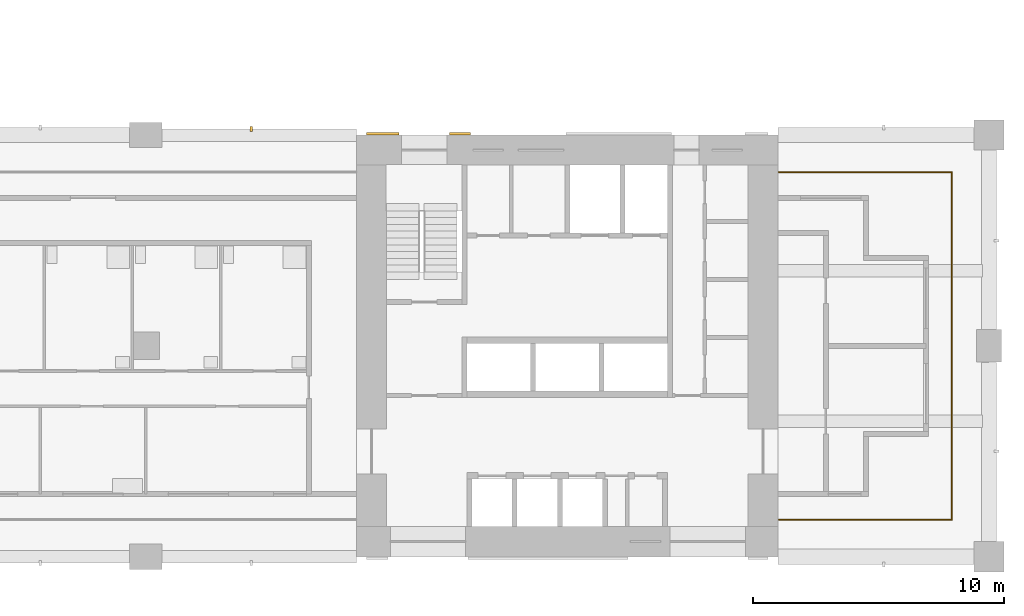
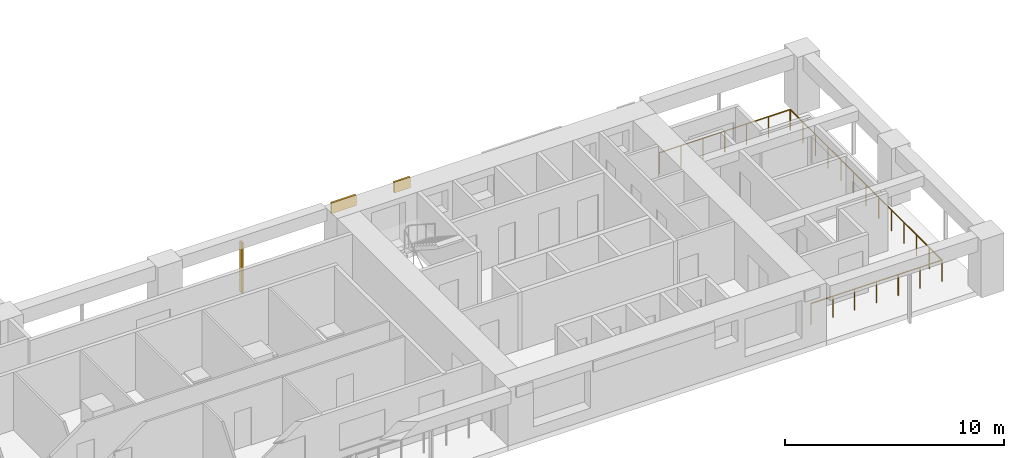
# One storey, part 13 of 17: 3 shading devices, 1 railing.
"""IFC4 building model written with IfcOpenShell, lengths in metres."""

from ifc_helpers import new_model, si_unit, direction, frame, origin, origin_2d, place, context, subcontext, project, spatial, rectangle, circle, extrude, material, layer, layer_set, material_profile, profile_set, type_object, element, save


model = new_model("IFC4")

# Units and contexts
model_context = context("Model", 3, precision=1e-05, world=origin(), true_north=direction((0.0, 1.0)))
body_context = subcontext(model_context, "Body", "Model", "MODEL_VIEW")
ifc_project = project(units=[si_unit("LENGTHUNIT", "METRE"), si_unit("AREAUNIT", "SQUARE_METRE"), si_unit("VOLUMEUNIT", "CUBIC_METRE"), si_unit("PLANEANGLEUNIT", "RADIAN"), si_unit("MASSUNIT", "GRAM", prefix="KILO")], contexts=[model_context])

# Site, building, storey
site_placement = place(None, origin())
site = spatial("IfcSite", under=ifc_project, at=site_placement, CompositionType="ELEMENT")
building_placement = place(site_placement, origin())
building = spatial("IfcBuilding", under=site, at=building_placement, Name="Vermilion Gate Residences", CompositionType="ELEMENT")
storey_placement = place(building_placement, frame((0.0, 0.0, 95.199951171875)))
storey = spatial("IfcBuildingStorey", under=building, at=storey_placement, Name="L23", CompositionType="ELEMENT", Elevation=95.199951171875)

# Railing
ifc_material_1 = material(Name="Stainless steel and toughened glass", Category="steel")
railing_type = type_object("IfcRailingType", Name="LOGGIA GUARD STEEL AND GLASS 1200", PredefinedType="GUARDRAIL", material=ifc_material_1)
railing_placement = place(storey_placement, frame((58.822021484375, 9.875, 0.0)))
element("IfcRailing", 1, at=railing_placement, inside=storey, type_object=railing_type, Name="Loggia guard", PredefinedType="GUARDRAIL", context=body_context, shape_type="SweptSolid", body=[
    extrude(circle(Radius=0.030029296875, at=origin_2d()), frame((0.0, 0.0, 1.169921875), z_axis=(1.0, 0.0, 0.0), x_axis=(0.0, 1.0, 0.0)), (0.0, 0.0, 1.0), 6.903076171875),
    extrude(circle(Radius=0.030029296875, at=origin_2d()), frame((6.903076171875, 0.0, 1.169921875), z_axis=(0.0, 1.0, 0.0), x_axis=(-1.0, 0.0, 0.0)), (0.0, 0.0, 1.0), 13.85009765625),
    extrude(circle(Radius=0.030029296875, at=origin_2d()), frame((6.903076171875, 13.85009765625, 1.169921875), z_axis=(-1.0, 0.0, 0.0), x_axis=(0.0, -1.0, 0.0)), (0.0, 0.0, 1.0), 6.903076171875),
    extrude(circle(Radius=0.02490234375, at=origin_2d()), origin(), (0.0, 0.0, 1.0), 1.139892578125),
    extrude(circle(Radius=0.02490234375, at=origin_2d()), frame((1.150390625, 0.0, 0.0)), (0.0, 0.0, 1.0), 1.139892578125),
    extrude(circle(Radius=0.02490234375, at=origin_2d()), frame((2.301025390625, 0.0, 0.0)), (0.0, 0.0, 1.0), 1.139892578125),
    extrude(circle(Radius=0.02490234375, at=origin_2d()), frame((3.45166015625, 0.0, 0.0)), (0.0, 0.0, 1.0), 1.139892578125),
    extrude(circle(Radius=0.02490234375, at=origin_2d()), frame((4.60205078125, 0.0, 0.0)), (0.0, 0.0, 1.0), 1.139892578125),
    extrude(circle(Radius=0.02490234375, at=origin_2d()), frame((5.75244140625, 0.0, 0.0)), (0.0, 0.0, 1.0), 1.139892578125),
    extrude(circle(Radius=0.02490234375, at=origin_2d()), frame((6.903076171875, 0.0, 0.0)), (0.0, 0.0, 1.0), 1.139892578125),
    extrude(circle(Radius=0.02490234375, at=origin_2d()), frame((6.903076171875, 1.154296875, 0.0)), (0.0, 0.0, 1.0), 1.139892578125),
    extrude(circle(Radius=0.02490234375, at=origin_2d()), frame((6.903076171875, 2.308349609375, 0.0)), (0.0, 0.0, 1.0), 1.139892578125),
    extrude(circle(Radius=0.02490234375, at=origin_2d()), frame((6.903076171875, 3.46240234375, 0.0)), (0.0, 0.0, 1.0), 1.139892578125),
    extrude(circle(Radius=0.02490234375, at=origin_2d()), frame((6.903076171875, 4.61669921875, 0.0)), (0.0, 0.0, 1.0), 1.139892578125),
    extrude(circle(Radius=0.02490234375, at=origin_2d()), frame((6.903076171875, 5.77099609375, 0.0)), (0.0, 0.0, 1.0), 1.139892578125),
    extrude(circle(Radius=0.02490234375, at=origin_2d()), frame((6.903076171875, 6.925048828125, 0.0)), (0.0, 0.0, 1.0), 1.139892578125),
    extrude(circle(Radius=0.02490234375, at=origin_2d()), frame((6.903076171875, 8.0791015625, 0.0)), (0.0, 0.0, 1.0), 1.139892578125),
    extrude(circle(Radius=0.02490234375, at=origin_2d()), frame((6.903076171875, 9.2333984375, 0.0)), (0.0, 0.0, 1.0), 1.139892578125),
    extrude(circle(Radius=0.02490234375, at=origin_2d()), frame((6.903076171875, 10.3876953125, 0.0)), (0.0, 0.0, 1.0), 1.139892578125),
    extrude(circle(Radius=0.02490234375, at=origin_2d()), frame((6.903076171875, 11.541748046875, 0.0)), (0.0, 0.0, 1.0), 1.139892578125),
    extrude(circle(Radius=0.02490234375, at=origin_2d()), frame((6.903076171875, 12.69580078125, 0.0)), (0.0, 0.0, 1.0), 1.139892578125),
    extrude(circle(Radius=0.02490234375, at=origin_2d()), frame((6.903076171875, 13.85009765625, 0.0)), (0.0, 0.0, 1.0), 1.139892578125),
    extrude(circle(Radius=0.02490234375, at=origin_2d()), frame((5.75244140625, 13.85009765625, 0.0)), (0.0, 0.0, 1.0), 1.139892578125),
    extrude(circle(Radius=0.02490234375, at=origin_2d()), frame((4.60205078125, 13.85009765625, 0.0)), (0.0, 0.0, 1.0), 1.139892578125),
    extrude(circle(Radius=0.02490234375, at=origin_2d()), frame((3.45166015625, 13.85009765625, 0.0)), (0.0, 0.0, 1.0), 1.139892578125),
    extrude(circle(Radius=0.02490234375, at=origin_2d()), frame((2.301025390625, 13.85009765625, 0.0)), (0.0, 0.0, 1.0), 1.139892578125),
    extrude(circle(Radius=0.02490234375, at=origin_2d()), frame((1.150390625, 13.85009765625, 0.0)), (0.0, 0.0, 1.0), 1.139892578125),
    extrude(circle(Radius=0.02490234375, at=origin_2d()), frame((0.0, 13.85009765625, 0.0)), (0.0, 0.0, 1.0), 1.139892578125),
])

# Shading devices
ifc_material_2 = material(Name="Extruded terracotta", Category="masonry")
ifc_material_profile = material_profile(ifc_material_2, rectangle(XDim=0.199951171875, YDim=0.10009765625, at=origin_2d()), Name="BAGUETTE 100 X 200")
ifc_profile_set = profile_set([ifc_material_profile], Name="Extruded terracotta")
shading_device_type_1 = type_object("IfcShadingDeviceType", Name="TERRACOTTA BAGUETTE 100 X 200", PredefinedType="JALOUSIE", material=ifc_profile_set)
shading_device_1_placement = place(storey_placement, frame((37.800048828125, 25.449951171875, -0.280029296875), z_axis=(0.0, 0.0, 1.0), x_axis=(0.0, -1.0, 0.0)))
element("IfcShadingDevice", 2, at=shading_device_1_placement, inside=storey, type_object=shading_device_type_1, Name="BAGUETTE", PredefinedType="JALOUSIE", context=body_context, shape_type="SweptSolid", body=[
    extrude(rectangle(XDim=0.199951171875, YDim=0.10009765625, at=origin_2d()), origin(), (0.0, 0.0, 1.0), 2.800048828125),
])
ifc_material_3 = material(Name="Extruded terracotta", Category="masonry")
ifc_layer = layer(ifc_material_3, 0.10009765625)
ifc_layer_set = layer_set([ifc_layer], Name="TERRACOTTA SPANDREL BAND 600 X 100")
shading_device_type_2 = type_object("IfcShadingDeviceType", Name="TERRACOTTA SPANDREL BAND 600 X 100", PredefinedType="USERDEFINED", material=ifc_layer_set)
shading_device_2_placement = place(storey_placement, frame((43.050048828125, 25.25, 2.6201171875), z_axis=(0.0, 0.0, 1.0), x_axis=(1.0, 0.0, 0.0)))
element("IfcShadingDevice", 3, at=shading_device_2_placement, inside=storey, type_object=shading_device_type_2, Name="SPANDREL BAND", ObjectType="BAND", PredefinedType="USERDEFINED", context=body_context, shape_type="SweptSolid", body=[
    extrude(rectangle(XDim=1.300048828125, YDim=0.10009765625, at=origin_2d()), origin(), (0.0, 0.0, 1.0), 0.60009765625),
])
shading_device_3_placement = place(storey_placement, frame((46.121826171875, 25.25, 2.6201171875), z_axis=(0.0, 0.0, 1.0), x_axis=(1.0, 0.0, 0.0)))
element("IfcShadingDevice", 4, at=shading_device_3_placement, inside=storey, type_object=shading_device_type_2, Name="SPANDREL BAND", ObjectType="BAND", PredefinedType="USERDEFINED", context=body_context, shape_type="SweptSolid", body=[
    extrude(rectangle(XDim=0.84375, YDim=0.10009765625, at=origin_2d()), origin(), (0.0, 0.0, 1.0), 0.60009765625),
])

save(model, "model.ifc")
